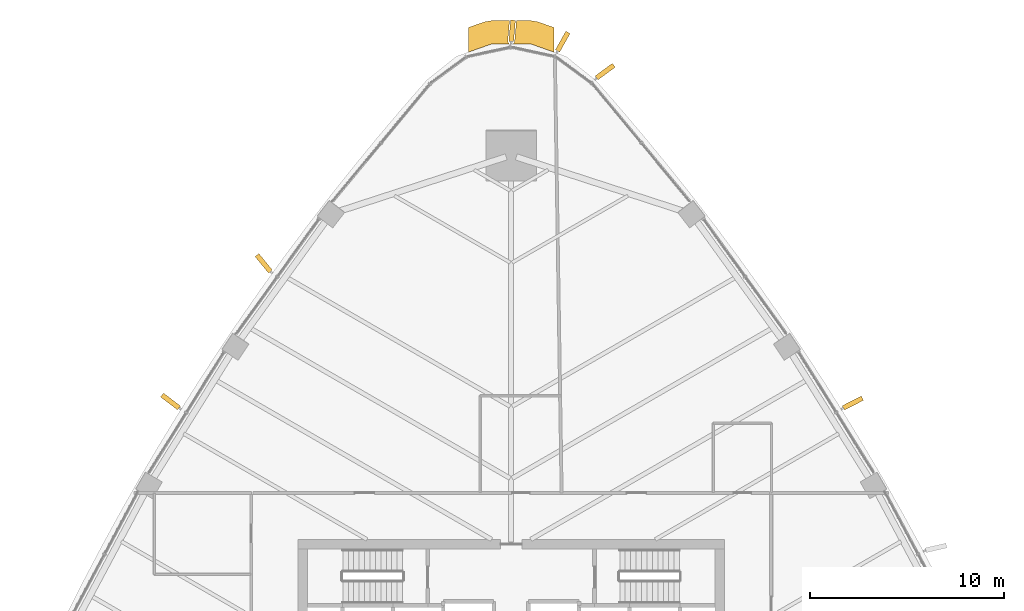
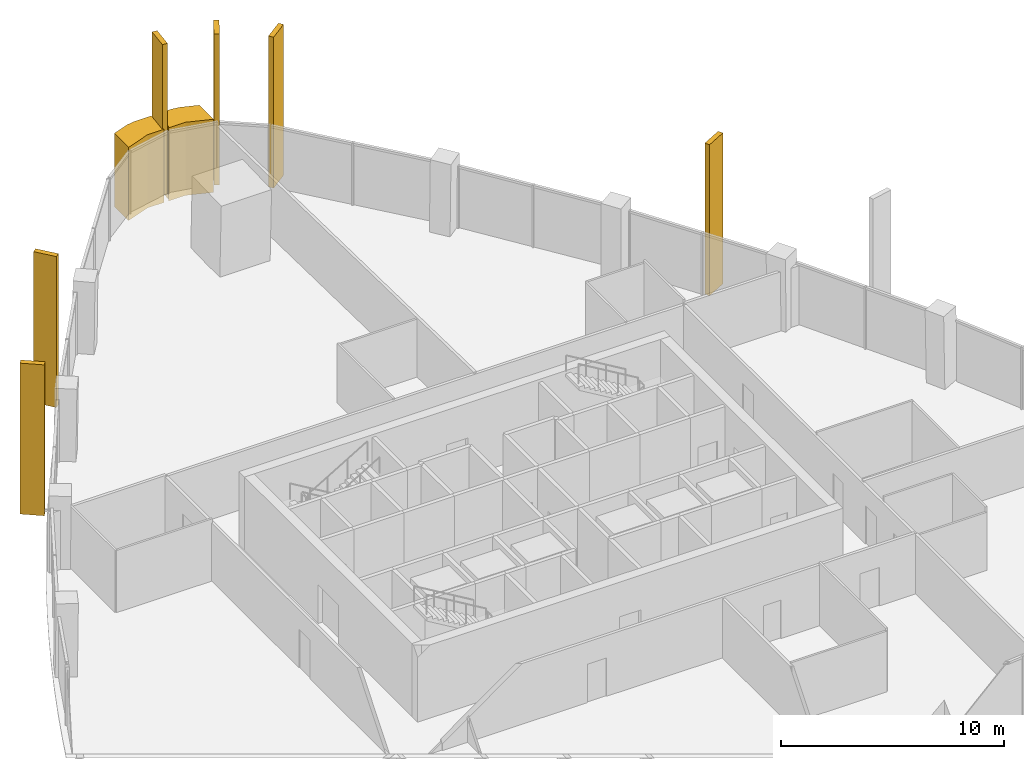
# One storey, part 19 of 20: 8 coverings.
"""IFC4 building model written with IfcOpenShell, lengths in metres."""

from ifc_helpers import new_model, si_unit, direction, frame, origin, origin_2d, place, context, subcontext, project, spatial, polyline, rectangle, outline, extrude, material, layer, layer_set, material_profile, profile_set, type_object, element, save


model = new_model("IFC4")

# Units and contexts
model_context = context("Model", 3, precision=1e-05, world=origin(), true_north=direction((0.0, 1.0)))
body_context = subcontext(model_context, "Body", "Model", "MODEL_VIEW")
ifc_project = project(units=[si_unit("LENGTHUNIT", "METRE"), si_unit("AREAUNIT", "SQUARE_METRE"), si_unit("VOLUMEUNIT", "CUBIC_METRE"), si_unit("PLANEANGLEUNIT", "RADIAN"), si_unit("MASSUNIT", "GRAM", prefix="KILO")], contexts=[model_context])

# Site, building, storey
site_placement = place(None, origin())
site = spatial("IfcSite", under=ifc_project, at=site_placement, CompositionType="ELEMENT")
building_placement = place(site_placement, origin())
building = spatial("IfcBuilding", under=site, at=building_placement, Name="Sierra Prisma Convention Tower", CompositionType="ELEMENT")
storey_placement = place(building_placement, frame((0.0, 0.0, 161.800048828125)))
storey = spatial("IfcBuildingStorey", under=building, at=storey_placement, Name="L35", CompositionType="ELEMENT", Elevation=161.800048828125)

# Coverings
ifc_material_1 = material(Name="Aluminium composite bronze anodised", Category="aluminium")
ifc_layer = layer(ifc_material_1, 1.199951171875)
ifc_layer_set = layer_set([ifc_layer], Name="Bronze corner pier")
covering_type_1 = type_object("IfcCoveringType", Name="Bronze corner pier", PredefinedType="CLADDING", material=ifc_layer_set)
covering_1_placement = place(storey_placement, frame((0.0, 0.0, -0.60009765625)))
element("IfcCovering", 1, at=covering_1_placement, inside=storey, type_object=covering_type_1, Name="Corner pier N L35.1", PredefinedType="CLADDING", context=body_context, shape_type="SweptSolid", body=[
    extrude(outline(polyline([(-0.17333984375, 33.67529296875), (-0.172119140625, 33.67041015625), (-0.170166015625, 33.665771484375), (-0.16796875, 33.661376953125), (-0.107421875, 33.55517578125), (-0.980712890625, 33.55517578125), (-2.199951171875, 33.12646484375), (-2.199951171875, 34.3984375), (-1.378662109375, 34.687255859375), (-0.980712890625, 34.755126953125), (-0.081298828125, 34.755126953125), (-0.17431640625, 33.6904296875), (-0.174560546875, 33.685302734375), (-0.17431640625, 33.680419921875), (-0.17333984375, 33.67529296875)])), origin(), (0.0, 0.0, 1.0), 4.0),
])
covering_2_placement = place(storey_placement, frame((0.0, 0.0, -0.60009765625)))
element("IfcCovering", 2, at=covering_2_placement, inside=storey, type_object=covering_type_1, Name="Corner pier N L35.2", PredefinedType="CLADDING", context=body_context, shape_type="SweptSolid", body=[
    extrude(outline(polyline([(0.980712890625, 33.55517578125), (0.110595703125, 33.55517578125), (0.165771484375, 33.635986328125), (0.16845703125, 33.640380859375), (0.170654296875, 33.64501953125), (0.17236328125, 33.64990234375), (0.173583984375, 33.65478515625), (0.17431640625, 33.659912109375), (0.270263671875, 34.755126953125), (0.980712890625, 34.755126953125), (1.378662109375, 34.687255859375), (2.199951171875, 34.3984375), (2.199951171875, 33.12646484375), (0.980712890625, 33.55517578125)])), origin(), (0.0, 0.0, 1.0), 4.0),
])
ifc_material_2 = material(Name="Aluminium 6063-T6 bronze anodised", Category="aluminium")
ifc_material_profile = material_profile(ifc_material_2, rectangle(XDim=1.10009765625, YDim=0.25, at=origin_2d()), Name="ALU FIN 1100x250")
ifc_profile_set = profile_set([ifc_material_profile], Name="Aluminium 6063-T6 bronze anodised")
covering_type_2 = type_object("IfcCoveringType", Name="Bronze facade fin", PredefinedType="CLADDING", material=ifc_profile_set)
for number, where, z_axis, x_axis, name in (
    (3, (17.614501953125, 15.031494140625, -0.300048828125), (0.0, 0.0, 1.0), (0.889210188089, 0.457498897703, 0.0), "Fin L35.32"),
    (4, (4.84619140625, 32.12255859375, -0.300048828125), (0.0, 0.0, 1.0), (0.806346894456, 0.591442884649, 0.0), "Fin L35.39"),
    (5, (2.659423828125, 33.666259765625, -0.300048828125), (0.0, 0.0, 1.0), (0.490451575883, 0.871468445621, 0.0), "Fin L35.40"),
    (6, (0.0478515625, 34.22314453125, -0.300048828125), (0.0, 0.0, 1.0), (0.087155742748, 0.996194698092, 0.0), "Fin L35.41"),
    (7, (-12.75732421875, 22.2333984375, -0.300048828125), (0.0, 0.0, 1.0), (-0.63220286195, 0.774802904836, 0.0), "Fin L35.47"),
    (8, (-17.5634765625, 15.1123046875, -0.300048828125), (0.0, 0.0, 1.0), (-0.796257237416, 0.604958190177, 0.0), "Fin L35.50"),
):
    element("IfcCovering", number, at=place(storey_placement, frame(where, z_axis=z_axis, x_axis=x_axis)), inside=storey, type_object=covering_type_2, Name=name, ObjectType="FIN", PredefinedType="CLADDING", context=body_context, shape_type="SweptSolid", body=[
        extrude(rectangle(XDim=1.10009765625, YDim=0.25, at=origin_2d()), origin(), (0.0, 0.0, 1.0), 8.25),
    ])

save(model, "model.ifc")
